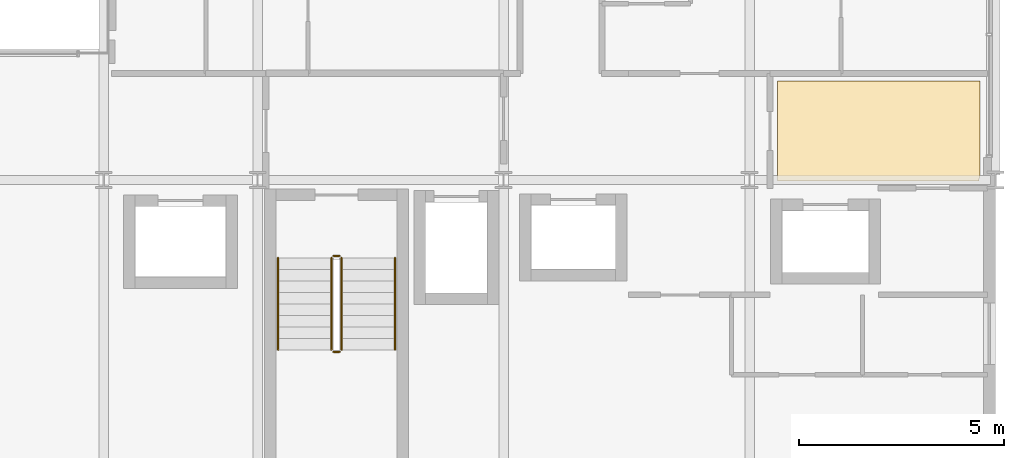
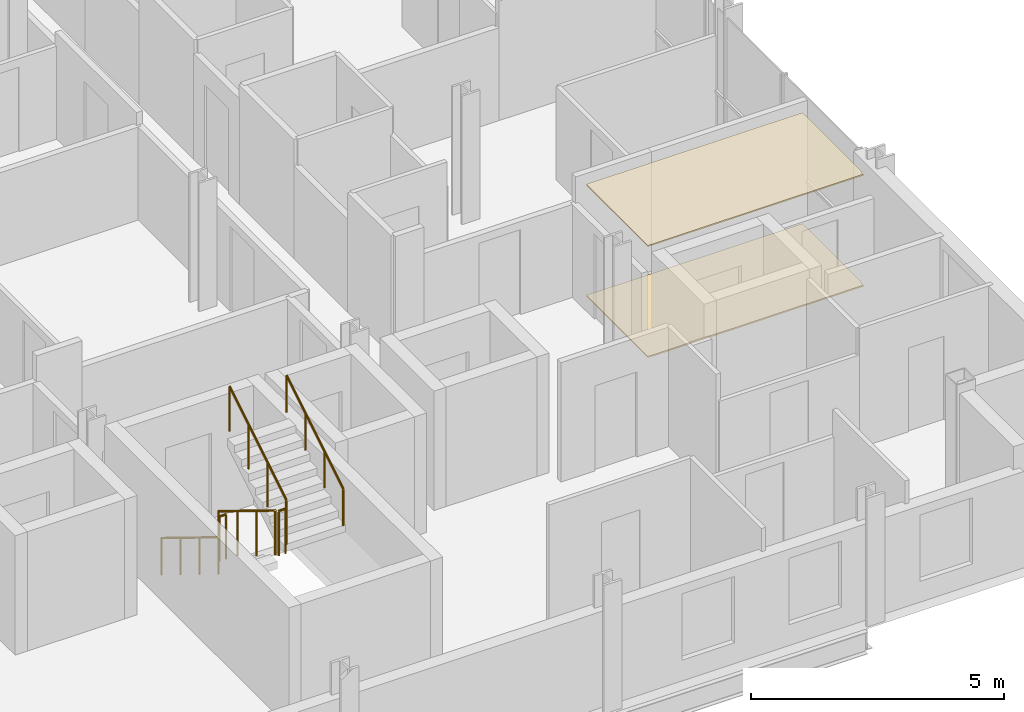
# One storey, part 40 of 41: 6 railings, 2 coverings.
"""IFC4 building model written with IfcOpenShell, lengths in metres."""

from ifc_helpers import new_model, si_unit, direction, frame, origin, origin_2d, place, context, subcontext, project, spatial, polyline, circle, outline, extrude, material, layer, layer_set, type_object, element, save


model = new_model("IFC4")

# Units and contexts
model_context = context("Model", 3, precision=1e-05, world=origin(), true_north=direction((0.0, 1.0)))
body_context = subcontext(model_context, "Body", "Model", "MODEL_VIEW")
ifc_project = project(units=[si_unit("LENGTHUNIT", "METRE"), si_unit("AREAUNIT", "SQUARE_METRE"), si_unit("VOLUMEUNIT", "CUBIC_METRE"), si_unit("PLANEANGLEUNIT", "RADIAN"), si_unit("MASSUNIT", "GRAM", prefix="KILO")], contexts=[model_context])

# Site, building, storey
site_placement = place(None, origin())
site = spatial("IfcSite", under=ifc_project, at=site_placement, CompositionType="ELEMENT")
building_placement = place(site_placement, origin())
building = spatial("IfcBuilding", under=site, at=building_placement, Name="Brevholm Reach", CompositionType="ELEMENT")
storey_placement = place(building_placement, frame((0.0, 0.0, 100.39990234375)))
storey = spatial("IfcBuildingStorey", under=building, at=storey_placement, Name="L29", CompositionType="ELEMENT", Elevation=100.39990234375)

# Coverings
ifc_material_1 = material(Name="Moisture-Resistant Skimmed Gypsum Plasterboard Ceiling", Category="gypsum")
ifc_layer_1 = layer(ifc_material_1, 0.030029296875)
ifc_layer_set_1 = layer_set([ifc_layer_1], Name="Moisture-Resistant Skimmed Gypsum Plasterboard Ceiling")
covering_type_1 = type_object("IfcCoveringType", Name="COV-CLG-GYP", PredefinedType="CEILING", material=ifc_layer_set_1)
covering_1_placement = place(storey_placement, frame((0.0, 0.0, 2.68017578125)))
element("IfcCovering", 1, at=covering_1_placement, inside=storey, type_object=covering_type_1, Name="L29 Suspended Ceiling L29-30", PredefinedType="CEILING", context=body_context, shape_type="SweptSolid", body=[
    extrude(outline(polyline([(59.6201171875, 12.419921875), (59.6201171875, 10.123779296875), (59.6171875, 10.1162109375), (59.607666015625, 10.077880859375), (59.601806640625, 10.039306640625), (59.60009765625, 10.0), (59.60107421875, 9.97998046875), (54.68408203125, 9.97998046875), (54.68408203125, 12.419921875), (59.6201171875, 12.419921875)])), origin(), (0.0, 0.0, 1.0), 0.030029296875),
])
ifc_material_2 = material(Name="Honed Portland-Aggregate Resin Terrazzo Flooring", Category="concrete")
ifc_layer_2 = layer(ifc_material_2, 0.031982421875)
ifc_layer_set_2 = layer_set([ifc_layer_2], Name="Honed Portland-Aggregate Resin Terrazzo Flooring")
covering_type_2 = type_object("IfcCoveringType", Name="COV-FLR-TRZ", PredefinedType="FLOORING", material=ifc_layer_set_2)
covering_2_placement = place(storey_placement, origin())
element("IfcCovering", 2, at=covering_2_placement, inside=storey, type_object=covering_type_2, Name="L29 Floor Finish L29-30", PredefinedType="FLOORING", context=body_context, shape_type="SweptSolid", body=[
    extrude(outline(polyline([(59.6201171875, 12.419921875), (59.6201171875, 10.123779296875), (59.6171875, 10.1162109375), (59.607666015625, 10.077880859375), (59.601806640625, 10.039306640625), (59.60009765625, 10.0), (59.60107421875, 9.97998046875), (54.68408203125, 9.97998046875), (54.68408203125, 12.419921875), (59.6201171875, 12.419921875)])), origin(), (0.0, 0.0, 1.0), 0.031982421875),
])

# Railings
ifc_material_3 = material(Name="Brushed Stainless Steel EN 1.4401 Continuous Handrail", Category="steel")
railing_type_1 = type_object("IfcRailingType", Name="RAL-HND-950", PredefinedType="HANDRAIL", material=ifc_material_3)
railing_1_placement = place(storey_placement, frame((42.5, 8.10009765625, 0.17236328125)))
element("IfcRailing", 3, at=railing_1_placement, inside=storey, type_object=railing_type_1, Name="L29 ST-2 stair handrail 1", PredefinedType="HANDRAIL", context=body_context, shape_type="SweptSolid", body=[
    extrude(circle(Radius=0.02392578125, at=origin_2d()), frame((0.0, 0.0, 0.8857421875), z_axis=(0.0, -0.85178898068, 0.523885037382), x_axis=(1.0, 0.0, 0.0)), (0.0, 0.0, 1.0), 2.629638671875),
    extrude(circle(Radius=0.02099609375, at=origin_2d()), origin(), (0.0, 0.0, 1.0), 0.86181640625),
    extrude(circle(Radius=0.02099609375, at=origin_2d()), frame((0.0, -0.74658203125, 0.459228515625)), (0.0, 0.0, 1.0), 0.86181640625),
    extrude(circle(Radius=0.02099609375, at=origin_2d()), frame((0.0, -1.493408203125, 0.91845703125)), (0.0, 0.0, 1.0), 0.86181640625),
    extrude(circle(Radius=0.02099609375, at=origin_2d()), frame((0.0, -2.239990234375, 1.377685546875)), (0.0, 0.0, 1.0), 0.86181640625),
])
railing_2_placement = place(storey_placement, frame((45.35009765625, 5.860107421875, 1.722412109375)))
element("IfcRailing", 4, at=railing_2_placement, inside=storey, type_object=railing_type_1, Name="L29 ST-2 stair handrail 2", PredefinedType="HANDRAIL", context=body_context, shape_type="SweptSolid", body=[
    extrude(circle(Radius=0.02392578125, at=origin_2d()), frame((0.0, 0.0, 0.8857421875), z_axis=(0.0, 0.85178898068, 0.523885037382), x_axis=(-1.0, 0.0, 0.0)), (0.0, 0.0, 1.0), 2.629638671875),
    extrude(circle(Radius=0.02099609375, at=origin_2d()), origin(), (0.0, 0.0, 1.0), 0.86181640625),
    extrude(circle(Radius=0.02099609375, at=origin_2d()), frame((0.0, 0.74658203125, 0.459228515625)), (0.0, 0.0, 1.0), 0.86181640625),
    extrude(circle(Radius=0.02099609375, at=origin_2d()), frame((0.0, 1.493408203125, 0.91845703125)), (0.0, 0.0, 1.0), 0.86181640625),
    extrude(circle(Radius=0.02099609375, at=origin_2d()), frame((0.0, 2.239990234375, 1.377685546875)), (0.0, 0.0, 1.0), 0.86181640625),
])
ifc_material_4 = material(Name="Painted Tubular Galvanised Steel S275JR Stair Guard", Category="steel")
railing_type_2 = type_object("IfcRailingType", Name="RAL-STG-1120", PredefinedType="BALUSTRADE", material=ifc_material_4)
railing_3_placement = place(storey_placement, frame((43.800048828125, 8.10009765625, 0.17236328125)))
element("IfcRailing", 5, at=railing_3_placement, inside=storey, type_object=railing_type_2, Name="L29 ST-2 stair guard 1", PredefinedType="BALUSTRADE", context=body_context, shape_type="SweptSolid", body=[
    extrude(circle(Radius=0.02392578125, at=origin_2d()), frame((0.0, 0.0, 1.076171875), z_axis=(0.0, -0.85178898068, 0.523885037382), x_axis=(1.0, 0.0, 0.0)), (0.0, 0.0, 1.0), 2.629638671875),
    extrude(circle(Radius=0.02099609375, at=origin_2d()), origin(), (0.0, 0.0, 1.0), 1.052001953125),
    extrude(circle(Radius=0.02099609375, at=origin_2d()), frame((0.0, -0.74658203125, 0.459228515625)), (0.0, 0.0, 1.0), 1.052001953125),
    extrude(circle(Radius=0.02099609375, at=origin_2d()), frame((0.0, -1.493408203125, 0.91845703125)), (0.0, 0.0, 1.0), 1.052001953125),
    extrude(circle(Radius=0.02099609375, at=origin_2d()), frame((0.0, -2.239990234375, 1.377685546875)), (0.0, 0.0, 1.0), 1.052001953125),
])
railing_4_placement = place(storey_placement, frame((43.85009765625, 5.81005859375, 1.550048828125)))
element("IfcRailing", 6, at=railing_4_placement, inside=storey, type_object=railing_type_2, Name="L29 ST-2 stair guard 2", PredefinedType="BALUSTRADE", context=body_context, shape_type="SweptSolid", body=[
    extrude(circle(Radius=0.02392578125, at=origin_2d()), frame((0.0, 0.0, 1.076171875), z_axis=(1.0, 0.0, 0.0), x_axis=(0.0, 1.0, 0.0)), (0.0, 0.0, 1.0), 0.14990234375),
    extrude(circle(Radius=0.02099609375, at=origin_2d()), origin(), (0.0, 0.0, 1.0), 1.052001953125),
    extrude(circle(Radius=0.02099609375, at=origin_2d()), frame((0.14990234375, 0.0, 0.0)), (0.0, 0.0, 1.0), 1.052001953125),
])
railing_5_placement = place(storey_placement, frame((44.050048828125, 5.860107421875, 1.722412109375)))
element("IfcRailing", 7, at=railing_5_placement, inside=storey, type_object=railing_type_2, Name="L29 ST-2 stair guard 3", PredefinedType="BALUSTRADE", context=body_context, shape_type="SweptSolid", body=[
    extrude(circle(Radius=0.02392578125, at=origin_2d()), frame((0.0, 0.0, 1.076171875), z_axis=(0.0, 0.85178898068, 0.523885037382), x_axis=(-1.0, 0.0, 0.0)), (0.0, 0.0, 1.0), 2.629638671875),
    extrude(circle(Radius=0.02099609375, at=origin_2d()), origin(), (0.0, 0.0, 1.0), 1.052001953125),
    extrude(circle(Radius=0.02099609375, at=origin_2d()), frame((0.0, 0.74658203125, 0.459228515625)), (0.0, 0.0, 1.0), 1.052001953125),
    extrude(circle(Radius=0.02099609375, at=origin_2d()), frame((0.0, 1.493408203125, 0.91845703125)), (0.0, 0.0, 1.0), 1.052001953125),
    extrude(circle(Radius=0.02099609375, at=origin_2d()), frame((0.0, 2.239990234375, 1.377685546875)), (0.0, 0.0, 1.0), 1.052001953125),
])
railing_6_placement = place(storey_placement, frame((43.85009765625, 8.14990234375, 0.0)))
element("IfcRailing", 8, at=railing_6_placement, inside=storey, type_object=railing_type_2, Name="L29 ST-2 stair guard 4", PredefinedType="BALUSTRADE", context=body_context, shape_type="SweptSolid", body=[
    extrude(circle(Radius=0.02392578125, at=origin_2d()), frame((0.0, 0.0, 1.076171875), z_axis=(1.0, 0.0, 0.0), x_axis=(0.0, 1.0, 0.0)), (0.0, 0.0, 1.0), 0.14990234375),
    extrude(circle(Radius=0.02099609375, at=origin_2d()), origin(), (0.0, 0.0, 1.0), 1.052001953125),
    extrude(circle(Radius=0.02099609375, at=origin_2d()), frame((0.14990234375, 0.0, 0.0)), (0.0, 0.0, 1.0), 1.052001953125),
])

save(model, "model.ifc")
